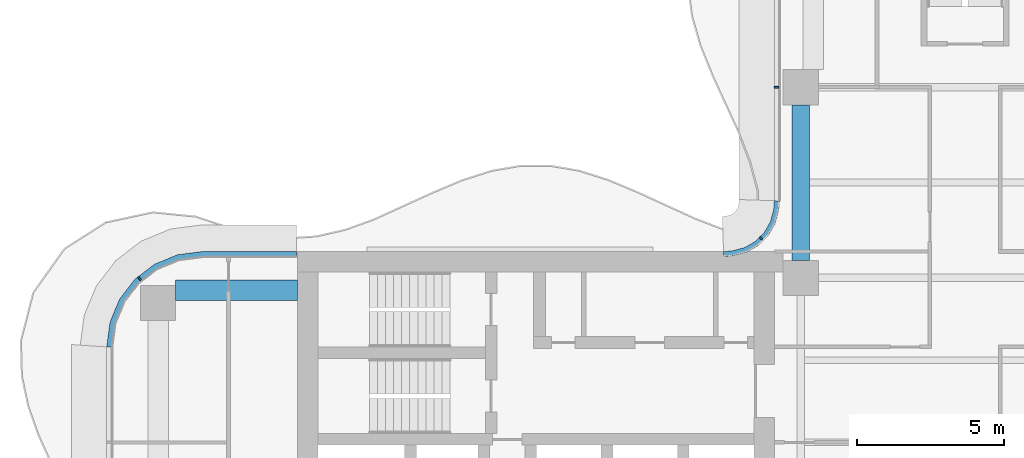
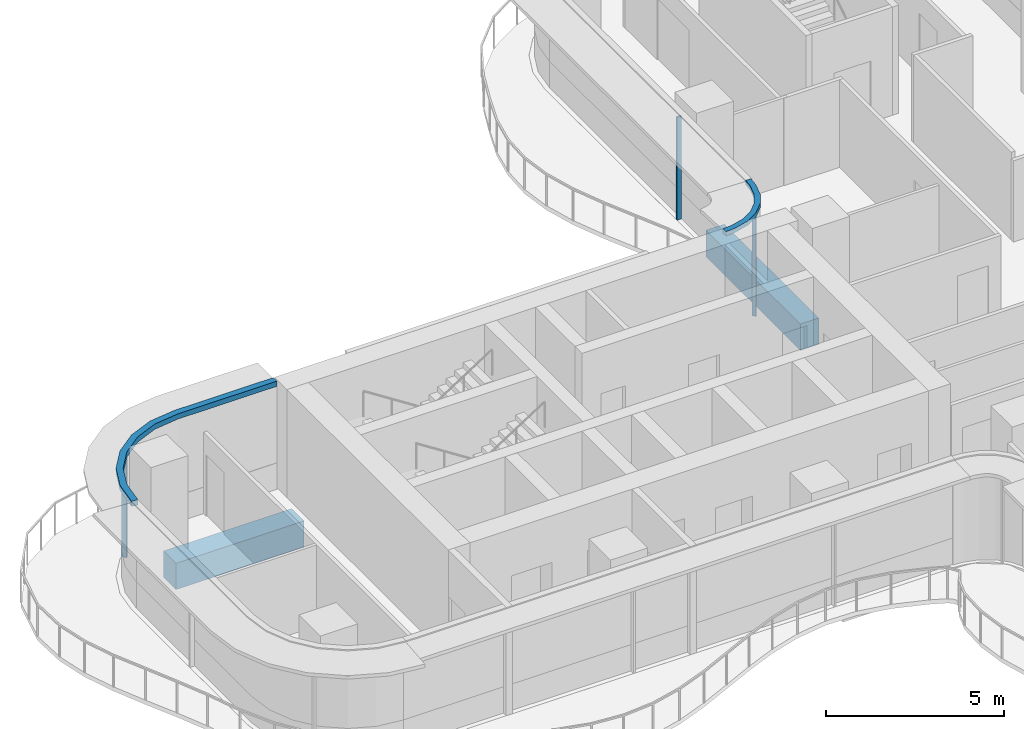
# One storey, part 7 of 19: 5 members, 2 beams, 3 elements without a shape of their own.
"""IFC4 building model written with IfcOpenShell, lengths in metres."""

from ifc_helpers import new_model, si_unit, direction, frame, origin, origin_2d, place, context, subcontext, project, spatial, polyline, rectangle, outline, extrude, source, transform, mapped, material, layer, layer_set, material_profile, profile_set, type_object, element, aggregate, save


model = new_model("IFC4")

# Units and contexts
model_context = context("Model", 3, precision=1e-05, world=origin(), true_north=direction((0.0, 1.0)))
body_context = subcontext(model_context, "Body", "Model", "MODEL_VIEW")
ifc_project = project(units=[si_unit("LENGTHUNIT", "METRE"), si_unit("AREAUNIT", "SQUARE_METRE"), si_unit("VOLUMEUNIT", "CUBIC_METRE"), si_unit("PLANEANGLEUNIT", "RADIAN"), si_unit("MASSUNIT", "GRAM", prefix="KILO")], contexts=[model_context])

# Site, building, storey
site_placement = place(None, origin())
site = spatial("IfcSite", under=ifc_project, at=site_placement, CompositionType="ELEMENT")
building_placement = place(site_placement, origin())
building = spatial("IfcBuilding", under=site, at=building_placement, Name="Trellis Farm Tower", CompositionType="ELEMENT")
storey_placement = place(building_placement, frame((0.0, 0.0, 197.10009765625)))
storey = spatial("IfcBuildingStorey", under=building, at=storey_placement, Name="L43", CompositionType="ELEMENT", Elevation=197.10009765625)

# Beams
ifc_material_1 = material(Name="Concrete C60/75", Category="concrete")
ifc_material_profile_1 = material_profile(ifc_material_1, rectangle(XDim=0.60009765625, YDim=0.89990234375, at=origin_2d()), Name="RC spandrel beam 600x900 C60/75")
ifc_profile_set_1 = profile_set([ifc_material_profile_1], Name="Concrete C60/75")
beam_type_1 = type_object("IfcBeamType", Name="RC spandrel beam 600x900 C60/75", PredefinedType="SPANDREL", material=ifc_profile_set_1)
shared_shape_1 = source(origin(), body_context, "Body", "SweptSolid", [
    extrude(rectangle(XDim=0.60009765625, YDim=0.89990234375, at=origin_2d()), origin(), (0.0, 0.0, 1.0), 5.300048828125),
])
beam_1_placement = place(storey_placement, frame((-5.60009765625, 6.199951171875, -0.650146484375), z_axis=(0.0, 1.0, 0.0), x_axis=(-1.0, 0.0, 0.0)))
element("IfcBeam", 1, at=beam_1_placement, inside=storey, type_object=beam_type_1, Name="Girder", PredefinedType="SPANDREL", context=body_context, shape_type="MappedRepresentation", body=[
    mapped(shared_shape_1, transform((0.0, 0.0, 0.0))),
])
ifc_material_profile_2 = material_profile(ifc_material_1, rectangle(XDim=0.699951171875, YDim=0.89990234375, at=origin_2d()), Name="RC spandrel beam 700x900 C60/75")
ifc_profile_set_2 = profile_set([ifc_material_profile_2], Name="Concrete C60/75")
beam_type_2 = type_object("IfcBeamType", Name="RC spandrel beam 700x900 C60/75", PredefinedType="SPANDREL", material=ifc_profile_set_2)
shared_shape_2 = source(origin(), body_context, "Body", "SweptSolid", [
    extrude(rectangle(XDim=0.699951171875, YDim=0.89990234375, at=origin_2d()), origin(), (0.0, 0.0, 1.0), 4.14990234375),
])
beam_2_placement = place(storey_placement, frame((-26.89990234375, 5.175048828125, -0.650146484375), z_axis=(1.0, 0.0, 0.0), x_axis=(0.0, 1.0, 0.0)))
element("IfcBeam", 2, at=beam_2_placement, inside=storey, type_object=beam_type_2, Name="Girder", PredefinedType="SPANDREL", context=body_context, shape_type="MappedRepresentation", body=[
    mapped(shared_shape_2, transform((0.0, 0.0, 0.0))),
])

# Curtain wall, member
ifc_material_2 = material(Name="Aluminium and glass curtain wall", Category="aluminium")
ifc_layer_1 = layer(ifc_material_2, 0.18994140625)
ifc_layer_set_1 = layer_set([ifc_layer_1], Name="RIBBON CURTAIN WALL CW1")
curtain_wall_type_1 = type_object("IfcCurtainWallType", Name="RIBBON CURTAIN WALL CW1", PredefinedType="NOTDEFINED", material=ifc_layer_set_1)
placement = place(storey_placement, origin())
curtain_wall_1 = element("IfcCurtainWall", 3, at=placement, inside=storey, type_object=curtain_wall_type_1, Name="CW1 011", PredefinedType="NOTDEFINED")
ifc_material_3 = material(Name="Aluminium extrusion 6063-T6", Category="aluminium")
ifc_material_profile_3 = material_profile(ifc_material_3, rectangle(XDim=0.06005859375, YDim=0.14990234375, at=origin_2d()), Name="MULLION 60x150")
ifc_profile_set_3 = profile_set([ifc_material_profile_3], Name="Aluminium extrusion 6063-T6")
member_type_1 = type_object("IfcMemberType", Name="CW1 MULLION 60x150", PredefinedType="MULLION", material=ifc_profile_set_3)
shared_shape_3 = source(origin(), body_context, "Body", "SweptSolid", [
    extrude(rectangle(XDim=0.06005859375, YDim=0.14990234375, at=origin_2d()), origin(), (0.0, 0.0, 1.0), 3.52001953125),
])
member_1_placement = place(storey_placement, frame((-6.425048828125, 12.10009765625, 0.0), z_axis=(0.0, 0.0, 1.0), x_axis=(0.0, -1.0, 0.0)))
member_1 = element("IfcMember", 4, at=member_1_placement, type_object=member_type_1, Name="MU1 011-01", PredefinedType="MULLION", context=body_context, shape_type="MappedRepresentation", body=[
    mapped(shared_shape_3, transform((0.0, 0.0, 0.0))),
])
aggregate(curtain_wall_1, [member_1])

# Curtain wall, members
curtain_wall_2 = element("IfcCurtainWall", 5, at=placement, inside=storey, type_object=curtain_wall_type_1, Name="CW1 012", PredefinedType="NOTDEFINED")
member_2_placement = place(storey_placement, frame((-28.135498046875, 5.578369140625, 0.0), z_axis=(0.0, 0.0, 1.0), x_axis=(-0.793353340291, -0.608761429009, 0.0)))
member_2 = element("IfcMember", 6, at=member_2_placement, type_object=member_type_1, Name="MU1 012-01", PredefinedType="MULLION", context=body_context, shape_type="MappedRepresentation", body=[
    mapped(shared_shape_3, transform((0.0, 0.0, 0.0))),
])
ifc_layer_2 = layer(ifc_material_3, 0.199951171875)
ifc_layer_set_2 = layer_set([ifc_layer_2], Name="Aluminium extrusion 6063-T6")
member_type_2 = type_object("IfcMemberType", Name="CW1 TRANSOM 200x180", PredefinedType="USERDEFINED", material=ifc_layer_set_2)
shared_shape_4 = source(origin(), body_context, "Body", "SweptSolid", [
    extrude(outline(polyline([(-22.780029296875, 6.5), (-26.0, 6.5), (-26.841064453125, 6.38916015625), (-27.625, 6.064697265625), (-28.298095703125, 5.548095703125), (-28.814697265625, 4.875), (-29.13916015625, 4.091064453125), (-29.25, 3.25), (-29.050048828125, 3.23681640625), (-28.9443359375, 4.0390625), (-28.639892578125, 4.774169921875), (-28.155517578125, 5.405517578125), (-27.524169921875, 5.889892578125), (-26.7890625, 6.1943359375), (-25.98681640625, 6.300048828125), (-22.780029296875, 6.300048828125), (-22.780029296875, 6.5)])), origin(), (0.0, 0.0, 1.0), 0.179931640625),
])
member_3_placement = place(storey_placement, frame((0.0, 0.0, 3.52001953125)))
member_3 = element("IfcMember", 7, at=member_3_placement, type_object=member_type_2, Name="TR1 012", ObjectType="TRANSOM", PredefinedType="USERDEFINED", context=body_context, shape_type="MappedRepresentation", body=[
    mapped(shared_shape_4, transform((0.0, 0.0, 0.0))),
])
aggregate(curtain_wall_2, [member_2, member_3])

ifc_layer_3 = layer(ifc_material_2, 0.166015625)
ifc_layer_set_3 = layer_set([ifc_layer_3], Name="WINTER GARDEN CURTAIN WALL CW3")
curtain_wall_type_2 = type_object("IfcCurtainWallType", Name="WINTER GARDEN CURTAIN WALL CW3", PredefinedType="NOTDEFINED", material=ifc_layer_set_3)
curtain_wall_3 = element("IfcCurtainWall", 8, at=placement, inside=storey, type_object=curtain_wall_type_2, Name="CW3 004", PredefinedType="NOTDEFINED")
ifc_material_profile_4 = material_profile(ifc_material_3, rectangle(XDim=0.050048828125, YDim=0.1201171875, at=origin_2d()), Name="MULLION 50x120")
ifc_profile_set_4 = profile_set([ifc_material_profile_4], Name="Aluminium extrusion 6063-T6")
member_type_3 = type_object("IfcMemberType", Name="CW3 MULLION 50x120", PredefinedType="MULLION", material=ifc_profile_set_4)
shared_shape_5 = source(origin(), body_context, "Body", "SweptSolid", [
    extrude(rectangle(XDim=0.050048828125, YDim=0.1201171875, at=origin_2d()), origin(), (0.0, 0.0, 1.0), 3.5498046875),
])
member_4_placement = place(storey_placement, frame((-6.953125, 6.953125, 0.0), z_axis=(0.0, 0.0, 1.0), x_axis=(-0.707106781187, -0.707106781187, 0.0)))
member_4 = element("IfcMember", 9, at=member_4_placement, type_object=member_type_3, Name="MU3 004-01", PredefinedType="MULLION", context=body_context, shape_type="MappedRepresentation", body=[
    mapped(shared_shape_5, transform((0.0, 0.0, 0.0))),
])
ifc_layer_4 = layer(ifc_material_3, 0.169921875)
ifc_layer_set_4 = layer_set([ifc_layer_4], Name="Aluminium extrusion 6063-T6")
member_type_4 = type_object("IfcMemberType", Name="CW3 TRANSOM 170x150", PredefinedType="USERDEFINED", material=ifc_layer_set_4)
shared_shape_6 = source(origin(), body_context, "Body", "SweptSolid", [
    extrude(outline(polyline([(-6.5, 8.2314453125), (-6.513916015625, 8.01953125), (-6.527587890625, 7.91552734375), (-6.63671875, 7.508544921875), (-6.846923828125, 7.144287109375), (-7.144287109375, 6.846923828125), (-7.508544921875, 6.63671875), (-7.91552734375, 6.527587890625), (-8.01953125, 6.513916015625), (-8.2314453125, 6.5), (-8.225830078125, 6.330078125), (-8.0029296875, 6.3447265625), (-7.88232421875, 6.360595703125), (-7.44287109375, 6.478271484375), (-7.0400390625, 6.7109375), (-6.7109375, 7.0400390625), (-6.478271484375, 7.44287109375), (-6.360595703125, 7.88232421875), (-6.3447265625, 8.0029296875), (-6.330078125, 8.225830078125), (-6.5, 8.2314453125)])), origin(), (0.0, 0.0, 1.0), 0.150146484375),
])
member_5_placement = place(storey_placement, frame((0.0, 0.0, 3.5498046875)))
member_5 = element("IfcMember", 10, at=member_5_placement, type_object=member_type_4, Name="TR3 004", ObjectType="TRANSOM", PredefinedType="USERDEFINED", context=body_context, shape_type="MappedRepresentation", body=[
    mapped(shared_shape_6, transform((0.0, 0.0, 0.0))),
])
aggregate(curtain_wall_3, [member_4, member_5])

save(model, "model.ifc")
